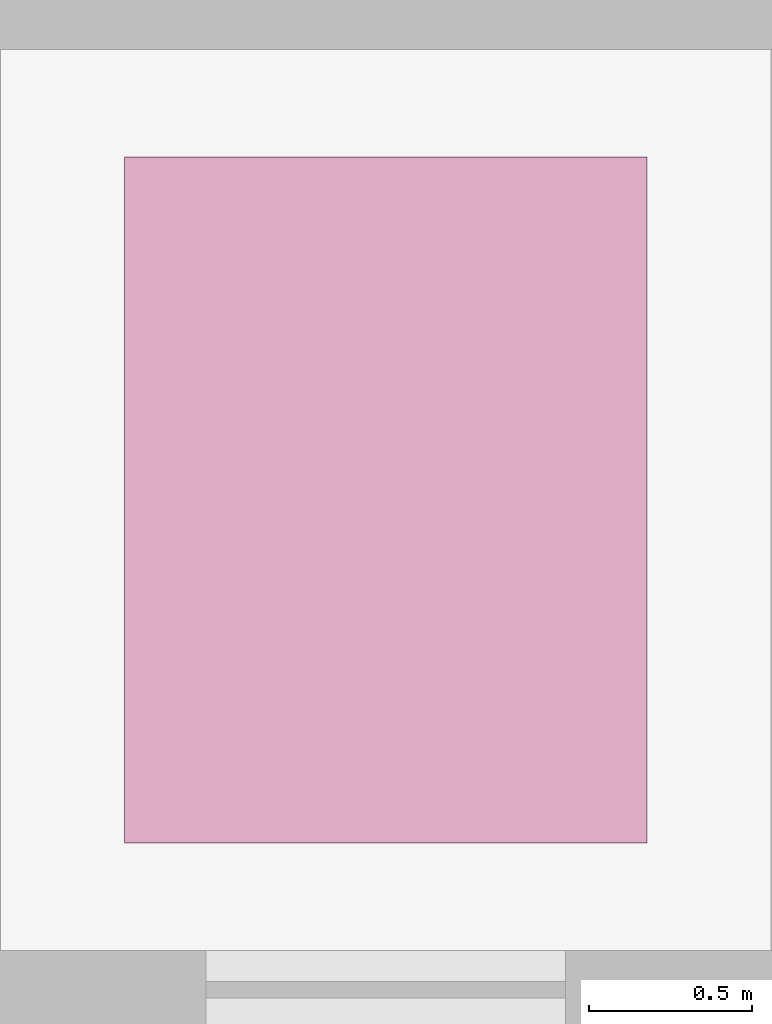
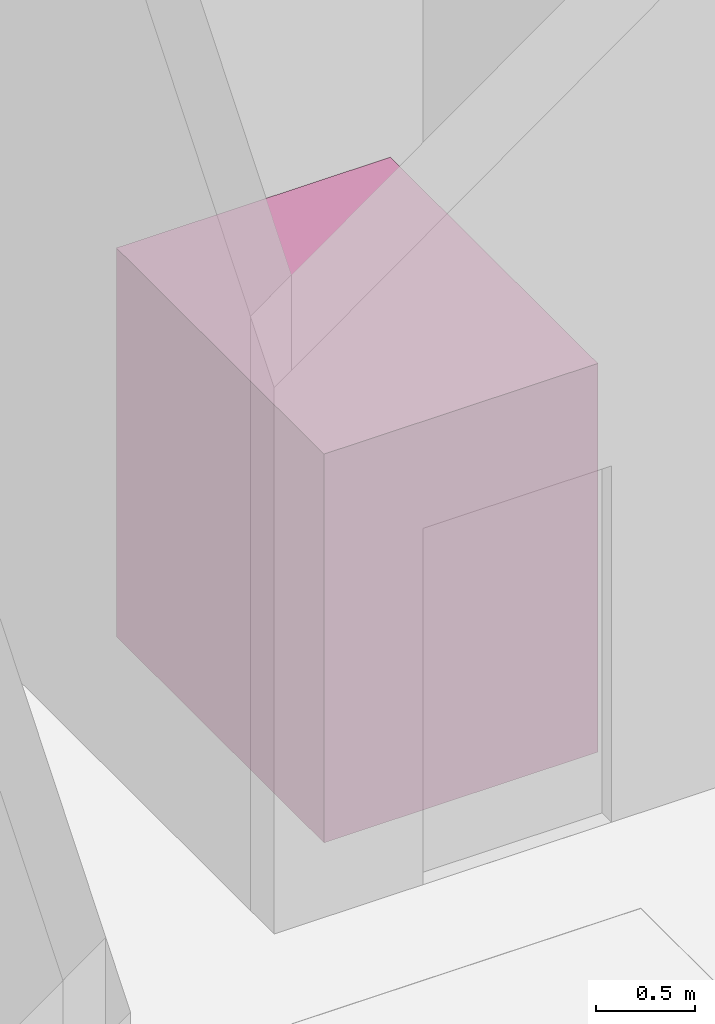
# One storey, part 121 of 121: 1 transport element.
"""IFC4 building model written with IfcOpenShell, lengths in metres."""

from ifc_helpers import new_model, si_unit, derived_unit, direction, frame, origin, origin_2d, place, context, subcontext, project, spatial, rectangle, extrude, material, type_object, element, save


model = new_model("IFC4")

# Units and contexts
model_context = context("Model", 3, precision=1e-05, world=origin(), true_north=direction((0.0, 1.0)))
body_context = subcontext(model_context, "Body", "Model", "MODEL_VIEW")
ifc_project = project(units=[si_unit("LENGTHUNIT", "METRE"), si_unit("AREAUNIT", "SQUARE_METRE"), si_unit("VOLUMEUNIT", "CUBIC_METRE"), si_unit("PLANEANGLEUNIT", "RADIAN"), si_unit("MASSUNIT", "GRAM", prefix="KILO"), derived_unit("THERMALTRANSMITTANCEUNIT", [(si_unit("MASSUNIT", "GRAM", prefix="KILO"), 1), (si_unit("TIMEUNIT", "SECOND"), -3), (si_unit("THERMODYNAMICTEMPERATUREUNIT", "KELVIN"), -1)])], contexts=[model_context])

# Site, building, storey
site_placement = place(None, origin())
site = spatial("IfcSite", under=ifc_project, at=site_placement, CompositionType="ELEMENT")
building_placement = place(site_placement, origin())
building = spatial("IfcBuilding", under=site, at=building_placement, Name="Zhenchuan Archway Interchange", CompositionType="ELEMENT")
storey_placement = place(building_placement, origin())
storey = spatial("IfcBuildingStorey", under=building, at=storey_placement, Name="L00", CompositionType="ELEMENT", Elevation=0.0)

# Transport element
ifc_material = material(Name="Stainless Steel 304", Category="steel")
transport_element_type = type_object("IfcTransportElementType", Name="LIFT_PAX_1600", PredefinedType="ELEVATOR", material=ifc_material)
transport_element_placement = place(storey_placement, frame((20.699951171875, 108.550048828125, 0.0), z_axis=(0.0, 0.0, 1.0), x_axis=(1.0, 0.0, 0.0)))
element("IfcTransportElement", 1, at=transport_element_placement, inside=storey, type_object=transport_element_type, Name="Passenger lift car LF-04", PredefinedType="ELEVATOR", context=body_context, shape_type="SweptSolid", body=[
    extrude(rectangle(XDim=1.60009765625, YDim=2.10009765625, at=origin_2d()), origin(), (0.0, 0.0, 1.0), 2.39990234375),
])

save(model, "model.ifc")
